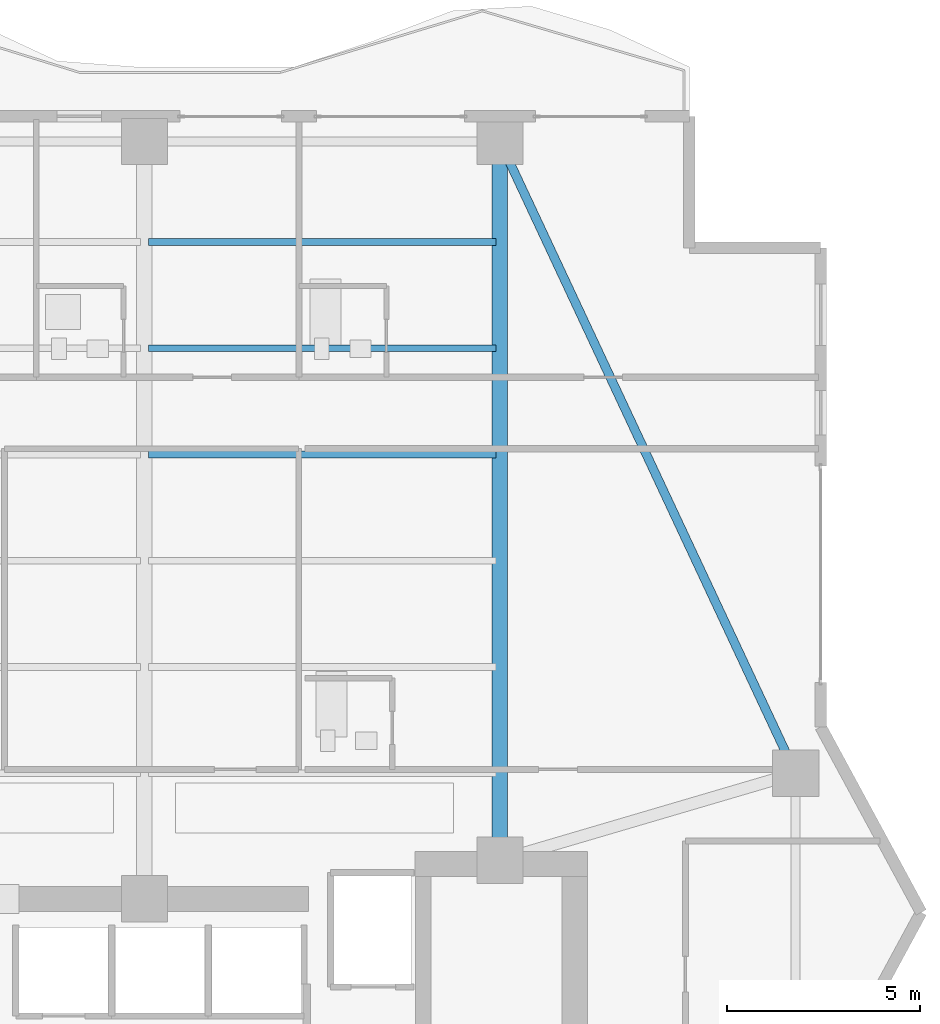
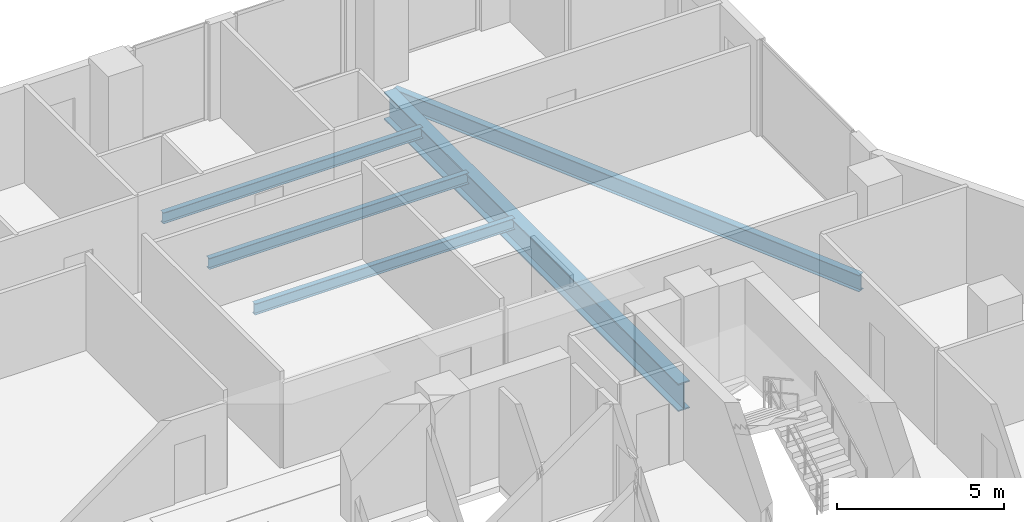
# One storey, part 20 of 32: 5 beams.
"""IFC4 building model written with IfcOpenShell, lengths in metres."""

from ifc_helpers import new_model, si_unit, direction, frame, origin, origin_2d, place, context, subcontext, project, spatial, i_section, extrude, material, material_profile, profile_set, type_object, element, save


model = new_model("IFC4")

# Units and contexts
model_context = context("Model", 3, precision=1e-05, world=origin(), true_north=direction((0.0, 1.0)))
body_context = subcontext(model_context, "Body", "Model", "MODEL_VIEW")
ifc_project = project(units=[si_unit("LENGTHUNIT", "METRE"), si_unit("AREAUNIT", "SQUARE_METRE"), si_unit("VOLUMEUNIT", "CUBIC_METRE"), si_unit("PLANEANGLEUNIT", "RADIAN"), si_unit("MASSUNIT", "GRAM", prefix="KILO")], contexts=[model_context])

# Site, building, storey
site_placement = place(None, origin())
site = spatial("IfcSite", under=ifc_project, at=site_placement, CompositionType="ELEMENT")
building_placement = place(site_placement, origin())
building = spatial("IfcBuilding", under=site, at=building_placement, Name="Zuhayl Quay Hotel", CompositionType="ELEMENT")
storey_placement = place(building_placement, frame((0.0, 0.0, 181.14990234375)))
storey = spatial("IfcBuildingStorey", under=building, at=storey_placement, Name="L45", CompositionType="ELEMENT", Elevation=181.14990234375)

# Beams
ifc_material = material(Name="Steel ASTM A992 Grade 50", Category="steel")
ifc_material_profile_1 = material_profile(ifc_material, i_section(OverallWidth=0.22802734375, OverallDepth=0.60693359375, WebThickness=0.01123046875, FlangeThickness=0.017333984375, at=origin_2d()), Name="W24X76")
ifc_profile_set_1 = profile_set([ifc_material_profile_1], Name="Steel ASTM A992 Grade 50")
beam_type_1 = type_object("IfcBeamType", Name="BM_B3_W24X76", PredefinedType="BEAM", material=ifc_profile_set_1)
beam_1_placement = place(storey_placement, frame((21.238037109375, 17.052978515625, -0.5234375), z_axis=(-0.423792164429, 0.905759461098, 0.0), x_axis=(-0.905759461098, -0.423792164429, 0.0)))
element("IfcBeam", 1, at=beam_1_placement, inside=storey, type_object=beam_type_1, Name="L45 Floor Beam RG_L45_06", PredefinedType="BEAM", context=body_context, shape_type="SweptSolid", body=[
    extrude(i_section(OverallWidth=0.22802734375, OverallDepth=0.60693359375, WebThickness=0.01123046875, FlangeThickness=0.017333984375, at=origin_2d()), origin(), (0.0, 0.0, 1.0), 17.051025390625),
])
ifc_material_profile_2 = material_profile(ifc_material, i_section(OverallWidth=0.177978515625, OverallDepth=0.406005859375, WebThickness=0.0078125, FlangeThickness=0.0126953125, at=origin_2d()), Name="W16X40")
ifc_profile_set_2 = profile_set([ifc_material_profile_2], Name="Steel ASTM A992 Grade 50")
beam_type_2 = type_object("IfcBeamType", Name="BM_J2B_W16X40", PredefinedType="JOIST", material=ifc_profile_set_2)
for number, where, z_axis, x_axis, name in (
    (2, (4.7060546875, 24.85009765625, -0.4228515625), (1.0, 0.0, 0.0), (0.0, 1.0, 0.0), "L45 Floor Beam FJ_L45_4_3"),
    (3, (4.7060546875, 27.60009765625, -0.4228515625), (1.0, 0.0, 0.0), (0.0, 1.0, 0.0), "L45 Floor Beam FJ_L45_5_3"),
    (4, (4.7060546875, 30.35009765625, -0.4228515625), (1.0, 0.0, 0.0), (0.0, 1.0, 0.0), "L45 Floor Beam FJ_L45_6_3"),
):
    element("IfcBeam", number, at=place(storey_placement, frame(where, z_axis=z_axis, x_axis=x_axis)), inside=storey, type_object=beam_type_2, Name=name, PredefinedType="JOIST", context=body_context, shape_type="SweptSolid", body=[
        extrude(i_section(OverallWidth=0.177978515625, OverallDepth=0.406005859375, WebThickness=0.0078125, FlangeThickness=0.0126953125, at=origin_2d()), origin(), (0.0, 0.0, 1.0), 8.988037109375),
    ])
ifc_material_profile_3 = material_profile(ifc_material, i_section(OverallWidth=0.40087890625, OverallDepth=1.010986328125, WebThickness=0.023681640625, FlangeThickness=0.0419921875, at=origin_2d()), Name="W40X297")
ifc_profile_set_3 = profile_set([ifc_material_profile_3], Name="Steel ASTM A992 Grade 50")
beam_type_3 = type_object("IfcBeamType", Name="BM_TG2_W40X297", PredefinedType="BEAM", material=ifc_profile_set_3)
beam_2_placement = place(storey_placement, frame((13.800048828125, 14.800048828125, -0.725341796875), z_axis=(0.0, 1.0, 0.0), x_axis=(-1.0, 0.0, 0.0)))
element("IfcBeam", 5, at=beam_2_placement, inside=storey, type_object=beam_type_3, Name="L45 Floor Beam FG_N_L45_4", PredefinedType="BEAM", context=body_context, shape_type="SweptSolid", body=[
    extrude(i_section(OverallWidth=0.40087890625, OverallDepth=1.010986328125, WebThickness=0.023681640625, FlangeThickness=0.0419921875, at=origin_2d()), origin(), (0.0, 0.0, 1.0), 17.64990234375),
])

save(model, "model.ifc")
